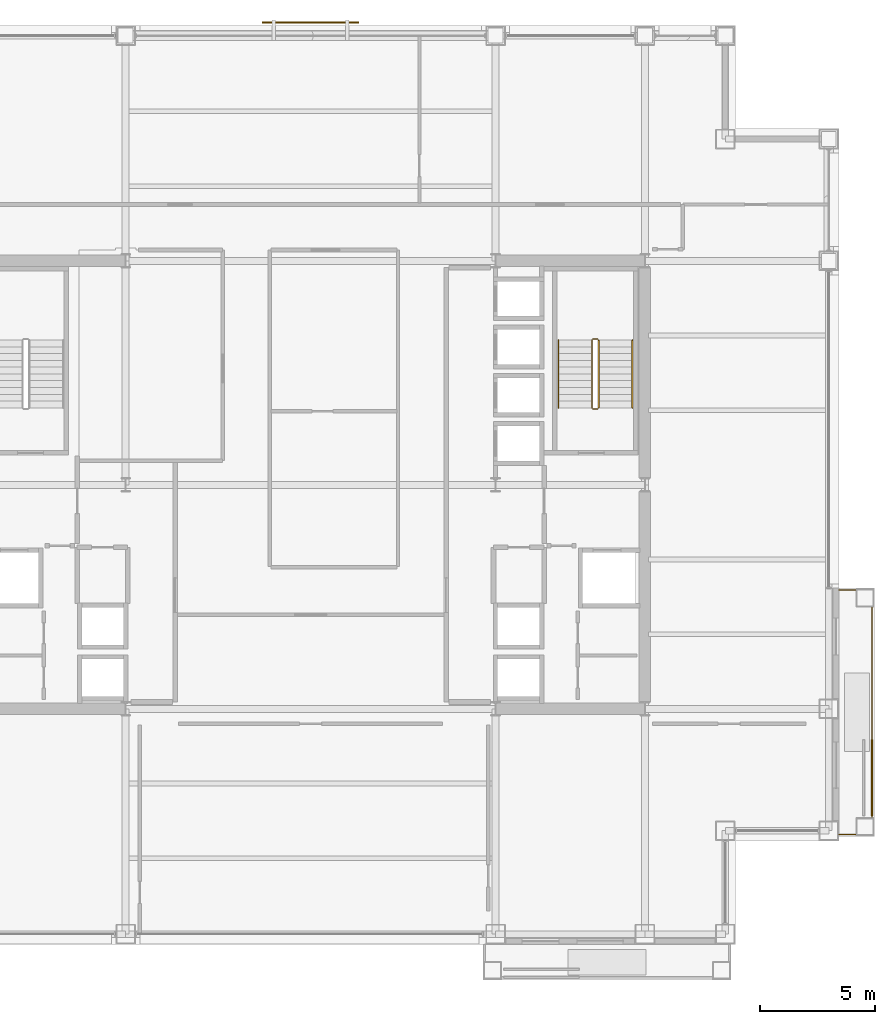
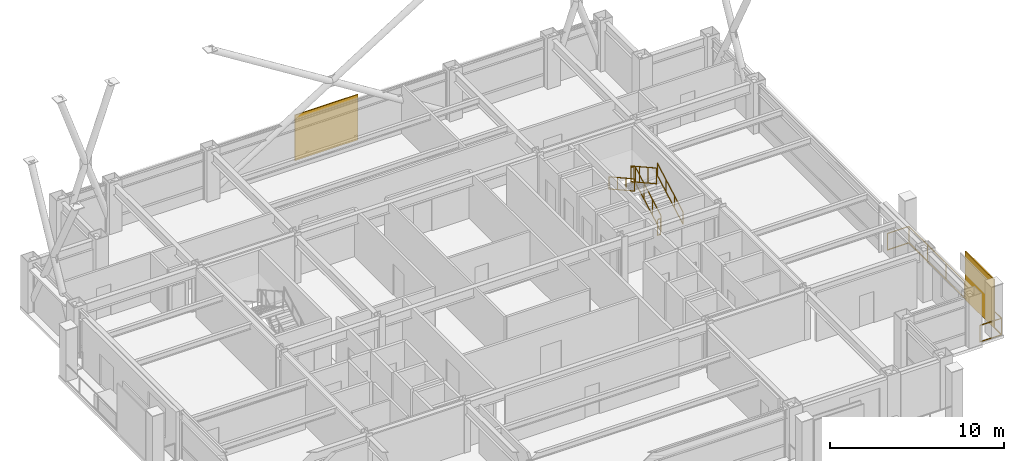
# One storey, part 33 of 34: 7 railings, 2 shading devices.
"""IFC4 building model written with IfcOpenShell, lengths in metres."""

from ifc_helpers import new_model, si_unit, direction, frame, origin, origin_2d, place, context, subcontext, project, spatial, rectangle, extrude, material, layer, layer_set, type_object, element, save


model = new_model("IFC4")

# Units and contexts
model_context = context("Model", 3, precision=1e-05, world=origin(), true_north=direction((0.0, 1.0)))
body_context = subcontext(model_context, "Body", "Model", "MODEL_VIEW")
ifc_project = project(units=[si_unit("LENGTHUNIT", "METRE"), si_unit("AREAUNIT", "SQUARE_METRE"), si_unit("VOLUMEUNIT", "CUBIC_METRE"), si_unit("PLANEANGLEUNIT", "RADIAN"), si_unit("MASSUNIT", "GRAM", prefix="KILO")], contexts=[model_context])

# Site, building, storey
site_placement = place(None, origin())
site = spatial("IfcSite", under=ifc_project, at=site_placement, CompositionType="ELEMENT")
building_placement = place(site_placement, origin())
building = spatial("IfcBuilding", under=site, at=building_placement, Name="Brelmoor Portico Tower", CompositionType="ELEMENT")
storey_placement = place(building_placement, frame((0.0, 0.0, 99.0)))
storey = spatial("IfcBuildingStorey", under=building, at=storey_placement, Name="L25", CompositionType="ELEMENT", Elevation=99.0)

# Railings
ifc_material_1 = material(Name="Perforated Pale Champagne Aluminium Fretwork Guard", Category="aluminium")
railing_type_1 = type_object("IfcRailingType", Name="RL-BALUSTRADE-1200", PredefinedType="BALUSTRADE", material=ifc_material_1)
railing_1_placement = place(storey_placement, frame((23.0, -15.219970703125, 0.0)))
element("IfcRailing", 1, at=railing_1_placement, inside=storey, type_object=railing_type_1, Name="L25 Tree Balcony Fretwork Balustrade E", PredefinedType="BALUSTRADE", context=body_context, shape_type="SweptSolid", body=[
    extrude(rectangle(XDim=0.048095703125, YDim=0.048095703125, at=origin_2d()), frame((0.0, 0.0, 1.17578125), z_axis=(1.0, 0.0, 0.0), x_axis=(0.0, 1.0, 0.0)), (0.0, 0.0, 1.0), 1.429931640625),
    extrude(rectangle(XDim=0.048095703125, YDim=0.048095703125, at=origin_2d()), frame((0.0, 0.0, 0.02392578125), z_axis=(1.0, 0.0, 0.0), x_axis=(0.0, 1.0, 0.0)), (0.0, 0.0, 1.0), 1.429931640625),
    extrude(rectangle(XDim=0.048095703125, YDim=0.048095703125, at=origin_2d()), frame((1.429931640625, 0.0, 1.17578125), z_axis=(0.0, 1.0, 0.0), x_axis=(-1.0, 0.0, 0.0)), (0.0, 0.0, 1.0), 10.639892578125),
    extrude(rectangle(XDim=0.048095703125, YDim=0.048095703125, at=origin_2d()), frame((1.429931640625, 0.0, 0.02392578125), z_axis=(0.0, 1.0, 0.0), x_axis=(-1.0, 0.0, 0.0)), (0.0, 0.0, 1.0), 10.639892578125),
    extrude(rectangle(XDim=0.048095703125, YDim=0.048095703125, at=origin_2d()), frame((1.429931640625, 10.639892578125, 1.17578125), z_axis=(-1.0, 0.0, 0.0), x_axis=(0.0, -1.0, 0.0)), (0.0, 0.0, 1.0), 1.429931640625),
    extrude(rectangle(XDim=0.048095703125, YDim=0.048095703125, at=origin_2d()), frame((1.429931640625, 10.639892578125, 0.02392578125), z_axis=(-1.0, 0.0, 0.0), x_axis=(0.0, -1.0, 0.0)), (0.0, 0.0, 1.0), 1.429931640625),
    extrude(rectangle(XDim=0.0419921875, YDim=0.0419921875, at=origin_2d()), origin(), (0.0, 0.0, 1.0), 1.15185546875),
    extrude(rectangle(XDim=0.0419921875, YDim=0.0419921875, at=origin_2d()), frame((1.429931640625, 0.0, 0.0)), (0.0, 0.0, 1.0), 1.15185546875),
    extrude(rectangle(XDim=0.0419921875, YDim=0.0419921875, at=origin_2d()), frame((1.429931640625, 2.1279296875, 0.0)), (0.0, 0.0, 1.0), 1.15185546875),
    extrude(rectangle(XDim=0.0419921875, YDim=0.0419921875, at=origin_2d()), frame((1.429931640625, 4.255859375, 0.0)), (0.0, 0.0, 1.0), 1.15185546875),
    extrude(rectangle(XDim=0.0419921875, YDim=0.0419921875, at=origin_2d()), frame((1.429931640625, 6.384033203125, 0.0)), (0.0, 0.0, 1.0), 1.15185546875),
    extrude(rectangle(XDim=0.0419921875, YDim=0.0419921875, at=origin_2d()), frame((1.429931640625, 8.511962890625, 0.0)), (0.0, 0.0, 1.0), 1.15185546875),
    extrude(rectangle(XDim=0.0419921875, YDim=0.0419921875, at=origin_2d()), frame((1.429931640625, 10.639892578125, 0.0)), (0.0, 0.0, 1.0), 1.15185546875),
    extrude(rectangle(XDim=0.0419921875, YDim=0.0419921875, at=origin_2d()), frame((0.0, 10.639892578125, 0.0)), (0.0, 0.0, 1.0), 1.15185546875),
])
ifc_material_2 = material(Name="Painted Tubular Steel Q235B", Category="steel")
railing_type_2 = type_object("IfcRailingType", Name="RL-STAIR-GUARD", PredefinedType="GUARDRAIL", material=ifc_material_2)
railing_2_placement = place(storey_placement, frame((12.5400390625, 3.35009765625, 0.16357421875)))
element("IfcRailing", 2, at=railing_2_placement, inside=storey, type_object=railing_type_2, Name="L25 ST-E stair guard 1", PredefinedType="GUARDRAIL", context=body_context, shape_type="SweptSolid", body=[
    extrude(rectangle(XDim=0.048095703125, YDim=0.048095703125, at=origin_2d()), frame((0.0, 0.0, 1.1259765625), z_axis=(0.0, 0.874457516365, 0.485102104791), x_axis=(-1.0, 0.0, 0.0)), (0.0, 0.0, 1.0), 3.37353515625),
    extrude(rectangle(XDim=0.048095703125, YDim=0.048095703125, at=origin_2d()), frame((0.0, 0.0, 0.02392578125), z_axis=(0.0, 0.874457516365, 0.485102104791), x_axis=(-1.0, 0.0, 0.0)), (0.0, 0.0, 1.0), 3.37353515625),
    extrude(rectangle(XDim=0.0419921875, YDim=0.0419921875, at=origin_2d()), origin(), (0.0, 0.0, 1.0), 1.101806640625),
    extrude(rectangle(XDim=0.0419921875, YDim=0.0419921875, at=origin_2d()), frame((0.0, 0.9833984375, 0.54541015625)), (0.0, 0.0, 1.0), 1.101806640625),
    extrude(rectangle(XDim=0.0419921875, YDim=0.0419921875, at=origin_2d()), frame((0.0, 1.966552734375, 1.091064453125)), (0.0, 0.0, 1.0), 1.101806640625),
    extrude(rectangle(XDim=0.0419921875, YDim=0.0419921875, at=origin_2d()), frame((0.0, 2.949951171875, 1.636474609375)), (0.0, 0.0, 1.0), 1.101806640625),
])
railing_3_placement = place(storey_placement, frame((12.489990234375, 6.35009765625, 1.800048828125)))
element("IfcRailing", 3, at=railing_3_placement, inside=storey, type_object=railing_type_2, Name="L25 ST-E stair guard 2", PredefinedType="GUARDRAIL", context=body_context, shape_type="SweptSolid", body=[
    extrude(rectangle(XDim=0.048095703125, YDim=0.048095703125, at=origin_2d()), frame((0.0, 0.0, 1.1259765625), z_axis=(-1.0, 0.0, 0.0), x_axis=(0.0, -1.0, 0.0)), (0.0, 0.0, 1.0), 0.199951171875),
    extrude(rectangle(XDim=0.048095703125, YDim=0.048095703125, at=origin_2d()), frame((0.0, 0.0, 0.02392578125), z_axis=(-1.0, 0.0, 0.0), x_axis=(0.0, -1.0, 0.0)), (0.0, 0.0, 1.0), 0.199951171875),
    extrude(rectangle(XDim=0.0419921875, YDim=0.0419921875, at=origin_2d()), origin(), (0.0, 0.0, 1.0), 1.101806640625),
    extrude(rectangle(XDim=0.0419921875, YDim=0.0419921875, at=origin_2d()), frame((-0.199951171875, 0.0, 0.0)), (0.0, 0.0, 1.0), 1.101806640625),
])
railing_4_placement = place(storey_placement, frame((12.239990234375, 6.300048828125, 1.963623046875)))
element("IfcRailing", 4, at=railing_4_placement, inside=storey, type_object=railing_type_2, Name="L25 ST-E stair guard 3", PredefinedType="GUARDRAIL", context=body_context, shape_type="SweptSolid", body=[
    extrude(rectangle(XDim=0.048095703125, YDim=0.048095703125, at=origin_2d()), frame((0.0, 0.0, 1.1259765625), z_axis=(0.0, -0.874457516365, 0.485102104791), x_axis=(1.0, 0.0, 0.0)), (0.0, 0.0, 1.0), 3.37353515625),
    extrude(rectangle(XDim=0.048095703125, YDim=0.048095703125, at=origin_2d()), frame((0.0, 0.0, 0.02392578125), z_axis=(0.0, -0.874457516365, 0.485102104791), x_axis=(1.0, 0.0, 0.0)), (0.0, 0.0, 1.0), 3.37353515625),
    extrude(rectangle(XDim=0.0419921875, YDim=0.0419921875, at=origin_2d()), origin(), (0.0, 0.0, 1.0), 1.101806640625),
    extrude(rectangle(XDim=0.0419921875, YDim=0.0419921875, at=origin_2d()), frame((0.0, -0.9833984375, 0.54541015625)), (0.0, 0.0, 1.0), 1.101806640625),
    extrude(rectangle(XDim=0.0419921875, YDim=0.0419921875, at=origin_2d()), frame((0.0, -1.966552734375, 1.091064453125)), (0.0, 0.0, 1.0), 1.101806640625),
    extrude(rectangle(XDim=0.0419921875, YDim=0.0419921875, at=origin_2d()), frame((0.0, -2.949951171875, 1.636474609375)), (0.0, 0.0, 1.0), 1.101806640625),
])
railing_5_placement = place(storey_placement, frame((12.489990234375, 3.300048828125, 0.0)))
element("IfcRailing", 5, at=railing_5_placement, inside=storey, type_object=railing_type_2, Name="L25 ST-E stair guard 4", PredefinedType="GUARDRAIL", context=body_context, shape_type="SweptSolid", body=[
    extrude(rectangle(XDim=0.048095703125, YDim=0.048095703125, at=origin_2d()), frame((0.0, 0.0, 1.1259765625), z_axis=(-1.0, 0.0, 0.0), x_axis=(0.0, -1.0, 0.0)), (0.0, 0.0, 1.0), 0.199951171875),
    extrude(rectangle(XDim=0.048095703125, YDim=0.048095703125, at=origin_2d()), frame((0.0, 0.0, 0.02392578125), z_axis=(-1.0, 0.0, 0.0), x_axis=(0.0, -1.0, 0.0)), (0.0, 0.0, 1.0), 0.199951171875),
    extrude(rectangle(XDim=0.0419921875, YDim=0.0419921875, at=origin_2d()), origin(), (0.0, 0.0, 1.0), 1.101806640625),
    extrude(rectangle(XDim=0.0419921875, YDim=0.0419921875, at=origin_2d()), frame((-0.199951171875, 0.0, 0.0)), (0.0, 0.0, 1.0), 1.101806640625),
])
ifc_material_3 = material(Name="Brushed Stainless Steel 304", Category="steel")
railing_type_3 = type_object("IfcRailingType", Name="RL-STAIR-HANDRAIL", PredefinedType="HANDRAIL", material=ifc_material_3)
railing_6_placement = place(storey_placement, frame((14.0, 3.35009765625, 0.16357421875)))
element("IfcRailing", 6, at=railing_6_placement, inside=storey, type_object=railing_type_3, Name="L25 ST-E stair handrail 1", PredefinedType="HANDRAIL", context=body_context, shape_type="SweptSolid", body=[
    extrude(rectangle(XDim=0.048095703125, YDim=0.048095703125, at=origin_2d()), frame((0.0, 0.0, 0.8759765625), z_axis=(0.0, 0.874457516365, 0.485102104791), x_axis=(-1.0, 0.0, 0.0)), (0.0, 0.0, 1.0), 3.37353515625),
    extrude(rectangle(XDim=0.048095703125, YDim=0.048095703125, at=origin_2d()), frame((0.0, 0.0, 0.02392578125), z_axis=(0.0, 0.874457516365, 0.485102104791), x_axis=(-1.0, 0.0, 0.0)), (0.0, 0.0, 1.0), 3.37353515625),
    extrude(rectangle(XDim=0.0419921875, YDim=0.0419921875, at=origin_2d()), origin(), (0.0, 0.0, 1.0), 0.851806640625),
    extrude(rectangle(XDim=0.0419921875, YDim=0.0419921875, at=origin_2d()), frame((0.0, 0.9833984375, 0.54541015625)), (0.0, 0.0, 1.0), 0.851806640625),
    extrude(rectangle(XDim=0.0419921875, YDim=0.0419921875, at=origin_2d()), frame((0.0, 1.966552734375, 1.091064453125)), (0.0, 0.0, 1.0), 0.851806640625),
    extrude(rectangle(XDim=0.0419921875, YDim=0.0419921875, at=origin_2d()), frame((0.0, 2.949951171875, 1.636474609375)), (0.0, 0.0, 1.0), 0.851806640625),
])
railing_7_placement = place(storey_placement, frame((10.780029296875, 6.300048828125, 1.963623046875)))
element("IfcRailing", 7, at=railing_7_placement, inside=storey, type_object=railing_type_3, Name="L25 ST-E stair handrail 2", PredefinedType="HANDRAIL", context=body_context, shape_type="SweptSolid", body=[
    extrude(rectangle(XDim=0.048095703125, YDim=0.048095703125, at=origin_2d()), frame((0.0, 0.0, 0.8759765625), z_axis=(0.0, -0.874457516365, 0.485102104791), x_axis=(1.0, 0.0, 0.0)), (0.0, 0.0, 1.0), 3.37353515625),
    extrude(rectangle(XDim=0.048095703125, YDim=0.048095703125, at=origin_2d()), frame((0.0, 0.0, 0.02392578125), z_axis=(0.0, -0.874457516365, 0.485102104791), x_axis=(1.0, 0.0, 0.0)), (0.0, 0.0, 1.0), 3.37353515625),
    extrude(rectangle(XDim=0.0419921875, YDim=0.0419921875, at=origin_2d()), origin(), (0.0, 0.0, 1.0), 0.851806640625),
    extrude(rectangle(XDim=0.0419921875, YDim=0.0419921875, at=origin_2d()), frame((0.0, -0.9833984375, 0.54541015625)), (0.0, 0.0, 1.0), 0.851806640625),
    extrude(rectangle(XDim=0.0419921875, YDim=0.0419921875, at=origin_2d()), frame((0.0, -1.966552734375, 1.091064453125)), (0.0, 0.0, 1.0), 0.851806640625),
    extrude(rectangle(XDim=0.0419921875, YDim=0.0419921875, at=origin_2d()), frame((0.0, -2.949951171875, 1.636474609375)), (0.0, 0.0, 1.0), 0.851806640625),
])

# Shading devices
ifc_material_4 = material(Name="Powder-Coated Aluminium Shuttered Jalousie", Category="aluminium")
ifc_layer_1 = layer(ifc_material_4, 0.080078125)
ifc_layer_set_1 = layer_set([ifc_layer_1], Name="Powder-Coated Aluminium Shuttered Jalousie")
shading_device_type_1 = type_object("IfcShadingDeviceType", Name="SD-JALOUSIE-LOGGIA", PredefinedType="JALOUSIE", material=ifc_layer_set_1)
shading_device_1_placement = place(storey_placement, frame((24.429931640625, -12.75, 0.0), z_axis=(0.0, 0.0, 1.0), x_axis=(0.0, 1.0, 0.0)))
element("IfcShadingDevice", 8, at=shading_device_1_placement, inside=storey, type_object=shading_device_type_1, Name="L25 Loggia Shuttered Jalousie E", PredefinedType="JALOUSIE", context=body_context, shape_type="SweptSolid", body=[
    extrude(rectangle(XDim=3.300048828125, YDim=0.080078125, at=origin_2d()), origin(), (0.0, 0.0, 1.0), 3.39990234375),
])
ifc_material_5 = material(Name="Perforated Pale Champagne Aluminium Solar Screen", Category="aluminium")
ifc_layer_2 = layer(ifc_material_5, 0.06494140625)
ifc_layer_set_2 = layer_set([ifc_layer_2], Name="Perforated Pale Champagne Aluminium Solar Screen")
shading_device_type_2 = type_object("IfcShadingDeviceType", Name="SD-SOLAR-SCREEN", PredefinedType="USERDEFINED", material=ifc_layer_set_2)
shading_device_2_placement = place(storey_placement, frame((0.0, 20.1201171875, 0.10009765625), z_axis=(0.0, 0.0, 1.0), x_axis=(1.0, 0.0, 0.0)))
element("IfcShadingDevice", 9, at=shading_device_2_placement, inside=storey, type_object=shading_device_type_2, Name="L25 Perforated Solar Screen N1", ObjectType="SCREEN", PredefinedType="USERDEFINED", context=body_context, shape_type="SweptSolid", body=[
    extrude(rectangle(XDim=4.199951171875, YDim=0.06494140625, at=origin_2d()), origin(), (0.0, 0.0, 1.0), 3.199951171875),
])

save(model, "model.ifc")
